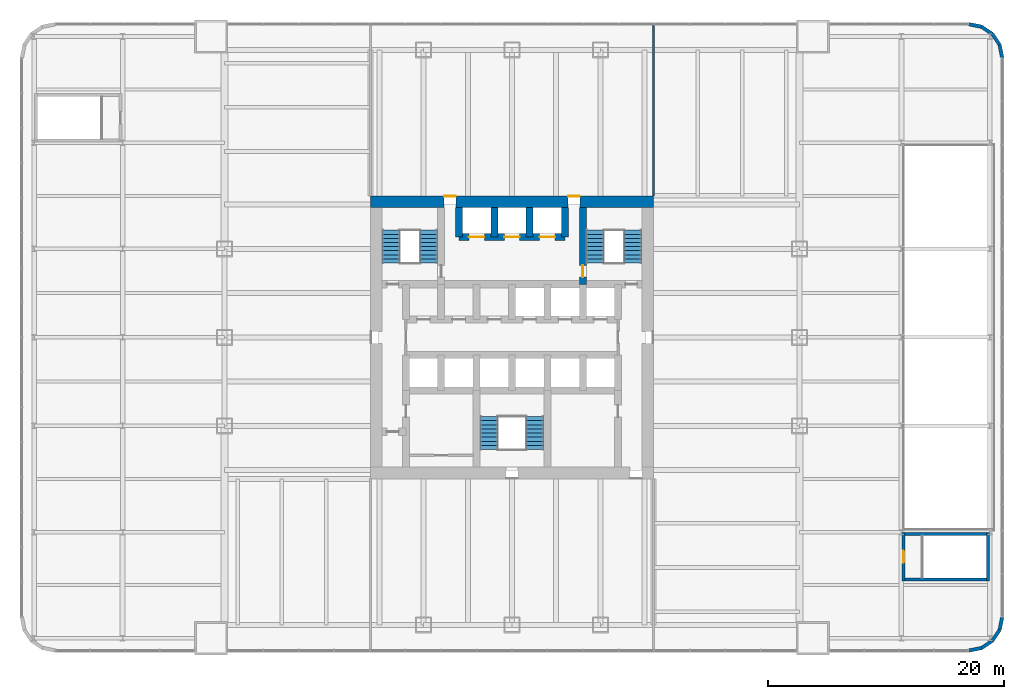
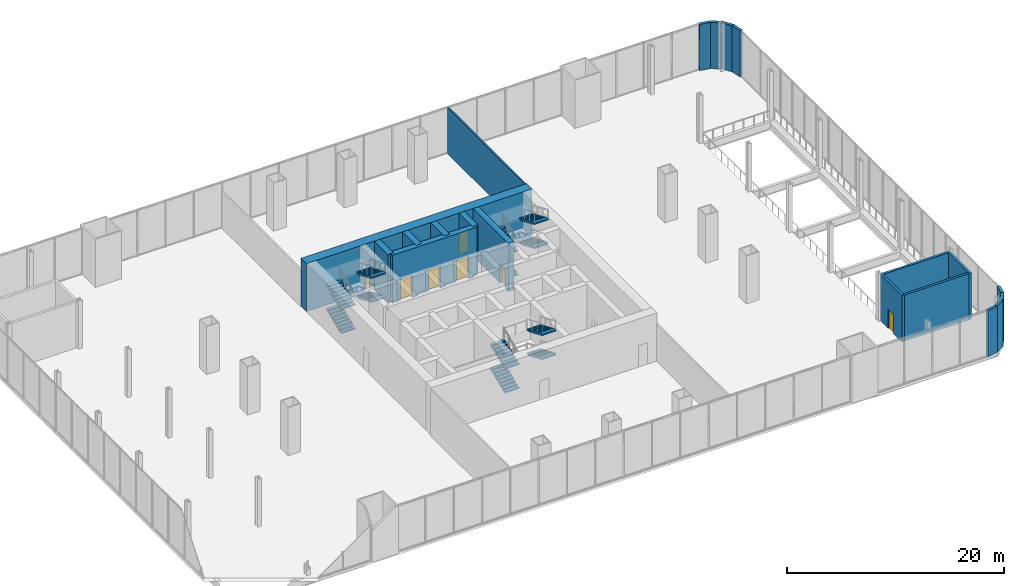
# One storey, part 15 of 17: 20 walls, 12 stair flights, 7 doors, 7 openings, 3 elements without a shape of their own.
"""IFC4 building model written with IfcOpenShell, lengths in metres."""

from ifc_helpers import new_model, si_unit, direction, frame, frame_2d, origin, place, context, subcontext, project, spatial, polyline, rectangle, outline, extrude, material, layer, layer_set, type_object, element, fill, aggregate, save


model = new_model("IFC4")

# Units and contexts
model_context = context("Model", 3, precision=1e-05, world=origin(), true_north=direction((0.0, 1.0)))
body_context = subcontext(model_context, "Body", "Model", "MODEL_VIEW")
ifc_project = project(units=[si_unit("LENGTHUNIT", "METRE"), si_unit("AREAUNIT", "SQUARE_METRE"), si_unit("VOLUMEUNIT", "CUBIC_METRE"), si_unit("PLANEANGLEUNIT", "RADIAN"), si_unit("MASSUNIT", "GRAM", prefix="KILO")], contexts=[model_context])

# Site, building, storey
site_placement = place(None, origin())
site = spatial("IfcSite", under=ifc_project, at=site_placement, CompositionType="ELEMENT")
building_placement = place(site_placement, origin())
building = spatial("IfcBuilding", under=site, at=building_placement, Name="Tarangal Relay Tower", CompositionType="ELEMENT")
storey_placement = place(building_placement, frame((0.0, 0.0, 18.0)))
storey = spatial("IfcBuildingStorey", under=building, at=storey_placement, Name="L03", CompositionType="ELEMENT", Elevation=18.0)

# Wall, openings, doors
ifc_material_1 = material(Name="Concrete fc' 60 MPa", Category="concrete")
ifc_layer_1 = layer(ifc_material_1, 0.60009765625)
ifc_layer_set_1 = layer_set([ifc_layer_1], Name="Core inner wall 600")
wall_type_1 = type_object("IfcWallType", Name="Core inner wall 600", PredefinedType="SHEAR", material=ifc_layer_set_1)
wall_1_placement = place(storey_placement, frame((-4.5, 8.5, 0.0), z_axis=(0.0, 0.0, 1.0), x_axis=(1.0, 0.0, 0.0)))
wall_1 = element("IfcWall", 1, at=wall_1_placement, inside=storey, type_object=wall_type_1, Name="Core wall Y85 L03", PredefinedType="SHEAR", context=body_context, shape_type="SweptSolid", body=[
    extrude(rectangle(XDim=9.0, YDim=0.60009765625, at=frame_2d((4.5, 0.0))), origin(), (0.0, 0.0, 1.0), 5.39990234375),
])
opening_1_placement = place(wall_1_placement, frame((0.85009765625, 0.0, 0.0)))
opening_1 = element("IfcOpeningElement", 2, at=opening_1_placement, cuts=wall_1, Name="Opening LD2", PredefinedType="OPENING", context=body_context, shape_type="SweptSolid", body=[
    extrude(rectangle(XDim=1.300048828125, YDim=2.39990234375, at=frame_2d((0.64990234375, 1.199951171875))), frame((0.0, 0.31005859375, 0.0), z_axis=(0.0, -1.0, 0.0), x_axis=(1.0, 0.0, 0.0)), (0.0, 0.0, 1.0), 0.6201171875),
])
opening_2_placement = place(wall_1_placement, frame((6.85009765625, 0.0, 0.0)))
opening_2 = element("IfcOpeningElement", 3, at=opening_2_placement, cuts=wall_1, Name="Opening LD2", PredefinedType="OPENING", context=body_context, shape_type="SweptSolid", body=[
    extrude(rectangle(XDim=1.300048828125, YDim=2.39990234375, at=frame_2d((0.64990234375, 1.199951171875))), frame((0.0, 0.31005859375, 0.0), z_axis=(0.0, -1.0, 0.0), x_axis=(1.0, 0.0, 0.0)), (0.0, 0.0, 1.0), 0.6201171875),
])
opening_3_placement = place(wall_1_placement, frame((3.85009765625, 0.0, 0.0)))
opening_3 = element("IfcOpeningElement", 4, at=opening_3_placement, cuts=wall_1, Name="Opening LD2", PredefinedType="OPENING", context=body_context, shape_type="SweptSolid", body=[
    extrude(rectangle(XDim=1.300048828125, YDim=2.39990234375, at=frame_2d((0.64990234375, 1.199951171875))), frame((0.0, 0.31005859375, 0.0), z_axis=(0.0, -1.0, 0.0), x_axis=(1.0, 0.0, 0.0)), (0.0, 0.0, 1.0), 0.6201171875),
])
ifc_material_2 = material(Name="Steel door with hardwood frame", Category="steel")
door_type_1 = type_object("IfcDoorType", Name="Lift landing door 1300 x 2400", OperationType="SLIDING_TO_LEFT", PredefinedType="DOOR", material=ifc_material_2)
door_1_placement = place(opening_1_placement, origin())
door_1 = element("IfcDoor", 5, at=door_1_placement, inside=storey, type_object=door_type_1, Name="Lift FF1 landing door L03", OperationType="SLIDING_TO_LEFT", OverallHeight=2.39990234375, OverallWidth=1.300048828125, PredefinedType="DOOR", context=body_context, shape_type="SweptSolid", body=[
    extrude(rectangle(XDim=1.300048828125, YDim=2.39990234375, at=frame_2d((0.64990234375, 1.199951171875))), frame((0.0, 0.02490234375, 0.0), z_axis=(0.0, -1.0, 0.0), x_axis=(1.0, 0.0, 0.0)), (0.0, 0.0, 1.0), 0.050048828125),
])
fill(opening_1, door_1)
door_2_placement = place(opening_2_placement, origin())
door_2 = element("IfcDoor", 6, at=door_2_placement, inside=storey, type_object=door_type_1, Name="Lift FF2 landing door L03", OperationType="SLIDING_TO_LEFT", OverallHeight=2.39990234375, OverallWidth=1.300048828125, PredefinedType="DOOR", context=body_context, shape_type="SweptSolid", body=[
    extrude(rectangle(XDim=1.300048828125, YDim=2.39990234375, at=frame_2d((0.64990234375, 1.199951171875))), frame((0.0, 0.02490234375, 0.0), z_axis=(0.0, -1.0, 0.0), x_axis=(1.0, 0.0, 0.0)), (0.0, 0.0, 1.0), 0.050048828125),
])
fill(opening_2, door_2)
door_3_placement = place(opening_3_placement, origin())
door_3 = element("IfcDoor", 7, at=door_3_placement, inside=storey, type_object=door_type_1, Name="Lift SV1 landing door L03", OperationType="SLIDING_TO_LEFT", OverallHeight=2.39990234375, OverallWidth=1.300048828125, PredefinedType="DOOR", context=body_context, shape_type="SweptSolid", body=[
    extrude(rectangle(XDim=1.300048828125, YDim=2.39990234375, at=frame_2d((0.64990234375, 1.199951171875))), frame((0.0, 0.02490234375, 0.0), z_axis=(0.0, -1.0, 0.0), x_axis=(1.0, 0.0, 0.0)), (0.0, 0.0, 1.0), 0.050048828125),
])
fill(opening_3, door_3)

# Wall, opening, door
wall_2_placement = place(storey_placement, frame((6.0, 4.5, 0.0), z_axis=(0.0, 0.0, 1.0), x_axis=(0.0, 1.0, 0.0)))
wall_2 = element("IfcWall", 8, at=wall_2_placement, inside=storey, type_object=wall_type_1, Name="Core wall X6 L03", PredefinedType="SHEAR", context=body_context, shape_type="SweptSolid", body=[
    extrude(rectangle(XDim=6.5, YDim=0.60009765625, at=frame_2d((3.25, 0.0))), origin(), (0.0, 0.0, 1.0), 5.39990234375),
])
opening_4_placement = place(wall_2_placement, frame((0.60009765625, 0.0, 0.0)))
opening_4 = element("IfcOpeningElement", 9, at=opening_4_placement, cuts=wall_2, Name="Opening FD1", PredefinedType="OPENING", context=body_context, shape_type="SweptSolid", body=[
    extrude(rectangle(XDim=1.0, YDim=2.10009765625, at=frame_2d((0.5, 1.050048828125))), frame((0.0, 0.31005859375, 0.0), z_axis=(0.0, -1.0, 0.0), x_axis=(1.0, 0.0, 0.0)), (0.0, 0.0, 1.0), 0.6201171875),
])
door_type_2 = type_object("IfcDoorType", Name="Fire door 1000 x 2100", OperationType="SINGLE_SWING_LEFT", PredefinedType="DOOR", material=ifc_material_2)
door_4_placement = place(opening_4_placement, origin())
door_4 = element("IfcDoor", 10, at=door_4_placement, inside=storey, type_object=door_type_2, Name="Stair ST-B door from fire-fighting lobby L03", OperationType="SINGLE_SWING_LEFT", OverallHeight=2.10009765625, OverallWidth=1.0, PredefinedType="DOOR", context=body_context, shape_type="SweptSolid", body=[
    extrude(rectangle(XDim=1.0, YDim=2.10009765625, at=frame_2d((0.5, 1.050048828125))), frame((0.0, 0.02490234375, 0.0), z_axis=(0.0, -1.0, 0.0), x_axis=(1.0, 0.0, 0.0)), (0.0, 0.0, 1.0), 0.050048828125),
])
fill(opening_4, door_4)

# Walls
for number, where, z_axis, x_axis, name in (
    (11, (-4.5, 8.5, 0.0), (0.0, 0.0, 1.0), (0.0, 1.0, 0.0), "Core wall XM45 L03"),
    (12, (4.5, 8.5, 0.0), (0.0, 0.0, 1.0), (0.0, 1.0, 0.0), "Core wall X45 L03"),
    (13, (-1.5, 8.5, 0.0), (0.0, 0.0, 1.0), (0.0, 1.0, 0.0), "Core wall XM15 L03"),
    (14, (1.5, 8.5, 0.0), (0.0, 0.0, 1.0), (0.0, 1.0, 0.0), "Core wall X15 L03"),
):
    element("IfcWall", number, at=place(storey_placement, frame(where, z_axis=z_axis, x_axis=x_axis)), inside=storey, type_object=wall_type_1, Name=name, PredefinedType="SHEAR", context=body_context, shape_type="SweptSolid", body=[
        extrude(rectangle(XDim=2.5, YDim=0.60009765625, at=frame_2d((1.25, 0.0))), origin(), (0.0, 0.0, 1.0), 5.39990234375),
    ])

# Wall, openings, doors
ifc_layer_2 = layer(ifc_material_1, 1.0)
ifc_layer_set_2 = layer_set([ifc_layer_2], Name="Core wall 1000")
wall_type_2 = type_object("IfcWallType", Name="Core wall 1000", PredefinedType="SHEAR", material=ifc_layer_set_2)
wall_3_placement = place(storey_placement, frame((-12.0, 11.5, 0.0), z_axis=(0.0, 0.0, 1.0), x_axis=(1.0, 0.0, 0.0)))
wall_3 = element("IfcWall", 15, at=wall_3_placement, inside=storey, type_object=wall_type_2, Name="Core wall N L03", PredefinedType="SHEAR", context=body_context, shape_type="SweptSolid", body=[
    extrude(rectangle(XDim=24.0, YDim=1.0, at=frame_2d((12.0, 0.0))), origin(), (0.0, 0.0, 1.0), 5.39990234375),
])
opening_5_placement = place(wall_3_placement, frame((6.25, 0.0, 0.0)))
opening_5 = element("IfcOpeningElement", 16, at=opening_5_placement, cuts=wall_3, Name="Opening FD3", PredefinedType="OPENING", context=body_context, shape_type="SweptSolid", body=[
    extrude(rectangle(XDim=1.0, YDim=2.39990234375, at=frame_2d((0.5, 1.199951171875))), frame((0.0, 0.510009765625, 0.0), z_axis=(0.0, -1.0, 0.0), x_axis=(1.0, 0.0, 0.0)), (0.0, 0.0, 1.0), 1.02001953125),
])
opening_6_placement = place(wall_3_placement, frame((16.75, 0.0, 0.0)))
opening_6 = element("IfcOpeningElement", 17, at=opening_6_placement, cuts=wall_3, Name="Opening FD3", PredefinedType="OPENING", context=body_context, shape_type="SweptSolid", body=[
    extrude(rectangle(XDim=1.0, YDim=2.39990234375, at=frame_2d((0.5, 1.199951171875))), frame((0.0, 0.510009765625, 0.0), z_axis=(0.0, -1.0, 0.0), x_axis=(1.0, 0.0, 0.0)), (0.0, 0.0, 1.0), 1.02001953125),
])
door_type_3 = type_object("IfcDoorType", Name="Fire door 1000 x 2400 core entry", OperationType="SINGLE_SWING_RIGHT", PredefinedType="DOOR", material=ifc_material_2)
door_5_placement = place(opening_5_placement, origin())
door_5 = element("IfcDoor", 18, at=door_5_placement, inside=storey, type_object=door_type_3, Name="Core entry door north west L03", OperationType="SINGLE_SWING_RIGHT", OverallHeight=2.39990234375, OverallWidth=1.0, PredefinedType="DOOR", context=body_context, shape_type="SweptSolid", body=[
    extrude(rectangle(XDim=1.0, YDim=2.39990234375, at=frame_2d((0.5, 1.199951171875))), frame((0.0, 0.48486328125, 0.0), z_axis=(0.0, -1.0, 0.0), x_axis=(1.0, 0.0, 0.0)), (0.0, 0.0, 1.0), 0.050048828125),
])
fill(opening_5, door_5)
door_6_placement = place(opening_6_placement, origin())
door_6 = element("IfcDoor", 19, at=door_6_placement, inside=storey, type_object=door_type_3, Name="Core entry door north east L03", OperationType="SINGLE_SWING_RIGHT", OverallHeight=2.39990234375, OverallWidth=1.0, PredefinedType="DOOR", context=body_context, shape_type="SweptSolid", body=[
    extrude(rectangle(XDim=1.0, YDim=2.39990234375, at=frame_2d((0.5, 1.199951171875))), frame((0.0, 0.48486328125, 0.0), z_axis=(0.0, -1.0, 0.0), x_axis=(1.0, 0.0, 0.0)), (0.0, 0.0, 1.0), 0.050048828125),
])
fill(opening_6, door_6)

# Walls
ifc_material_3 = material(Name="Gypsum board on steel studs", Category="steel")
ifc_layer_3 = layer(ifc_material_3, 0.14990234375)
ifc_layer_set_3 = layer_set([ifc_layer_3], Name="Partition 150")
wall_type_3 = type_object("IfcWallType", Name="Partition 150", PredefinedType="PARTITIONING", material=ifc_layer_set_3)
wall_4_placement = place(storey_placement, frame((12.0, 12.0, 0.0), z_axis=(0.0, 0.0, 1.0), x_axis=(0.0, 1.0, 0.0)))
element("IfcWall", 20, at=wall_4_placement, inside=storey, type_object=wall_type_3, Name="Partition PT1 L03", PredefinedType="PARTITIONING", context=body_context, shape_type="SweptSolid", body=[
    extrude(rectangle(XDim=14.449951171875, YDim=0.14990234375, at=frame_2d((7.22509765625, 0.0))), origin(), (0.0, 0.0, 1.0), 5.199951171875),
])
ifc_material_4 = material(Name="Black granite clad concrete wall", Category="masonry")
ifc_layer_4 = layer(ifc_material_4, 0.300048828125)
ifc_layer_set_4 = layer_set([ifc_layer_4], Name="Podium wall 300")
wall_type_4 = type_object("IfcWallType", Name="Podium wall 300", PredefinedType="SOLIDWALL", material=ifc_layer_set_4)
for number, where, z_axis, x_axis, name in (
    (21, (41.550048828125, 23.699951171875, 0.0), (0.0, 0.0, 1.0), (-0.195187147506, 0.980766015647, 0.0), "Podium corner wall L03"),
    (22, (41.3330078125, 24.79052734375, 0.0), (0.0, 0.0, 1.0), (-0.555409243355, 0.831577159616, 0.0), "Podium corner wall L03"),
    (23, (40.71533203125, 25.71533203125, 0.0), (0.0, 0.0, 1.0), (-0.831577159616, 0.555409243355, 0.0), "Podium corner wall L03"),
    (24, (39.79052734375, 26.3330078125, 0.0), (0.0, 0.0, 1.0), (-0.980766015647, 0.195187147506, 0.0), "Podium corner wall L03"),
    (25, (38.699951171875, -26.550048828125, 0.0), (0.0, 0.0, 1.0), (0.980766015647, 0.195187147506, 0.0), "Podium corner wall L03"),
    (26, (39.79052734375, -26.3330078125, 0.0), (0.0, 0.0, 1.0), (0.831577159616, 0.555409243355, 0.0), "Podium corner wall L03"),
    (27, (40.71533203125, -25.71533203125, 0.0), (0.0, 0.0, 1.0), (0.555409243355, 0.831577159616, 0.0), "Podium corner wall L03"),
    (28, (41.3330078125, -24.79052734375, 0.0), (0.0, 0.0, 1.0), (0.195187147506, 0.980766015647, 0.0), "Podium corner wall L03"),
):
    element("IfcWall", number, at=place(storey_placement, frame(where, z_axis=z_axis, x_axis=x_axis)), inside=storey, type_object=wall_type_4, Name=name, PredefinedType="SOLIDWALL", context=body_context, shape_type="SweptSolid", body=[
        extrude(rectangle(XDim=1.112060546875, YDim=0.300048828125, at=frame_2d((0.55615234375, 0.0))), origin(), (0.0, 0.0, 1.0), 5.199951171875),
    ])

# Wall, opening, door
ifc_material_5 = material(Name="Concrete blockwork", Category="masonry")
ifc_layer_5 = layer(ifc_material_5, 0.25)
ifc_layer_set_5 = layer_set([ifc_layer_5], Name="Stair enclosure wall 250")
wall_type_5 = type_object("IfcWallType", Name="Stair enclosure wall 250", PredefinedType="SOLIDWALL", material=ifc_layer_set_5)
wall_5_placement = place(storey_placement, frame((33.175048828125, -20.64990234375, 0.0), z_axis=(0.0, 0.0, 1.0), x_axis=(0.0, 1.0, 0.0)))
wall_5 = element("IfcWall", 29, at=wall_5_placement, inside=storey, type_object=wall_type_5, Name="Stair ST-E enclosure wall L03", PredefinedType="SOLIDWALL", context=body_context, shape_type="SweptSolid", body=[
    extrude(rectangle(XDim=4.099853515625, YDim=0.25, at=frame_2d((2.0498046875, 0.0))), origin(), (0.0, 0.0, 1.0), 5.199951171875),
])
opening_7_placement = place(wall_5_placement, frame((1.550048828125, 0.0, 0.0)))
opening_7 = element("IfcOpeningElement", 30, at=opening_7_placement, cuts=wall_5, Name="Opening FD1", PredefinedType="OPENING", context=body_context, shape_type="SweptSolid", body=[
    extrude(rectangle(XDim=1.0, YDim=2.10009765625, at=frame_2d((0.5, 1.050048828125))), frame((0.0, 0.135009765625, 0.0), z_axis=(0.0, -1.0, 0.0), x_axis=(1.0, 0.0, 0.0)), (0.0, 0.0, 1.0), 0.27001953125),
])
door_7_placement = place(opening_7_placement, origin())
door_7 = element("IfcDoor", 31, at=door_7_placement, inside=storey, type_object=door_type_2, Name="Stair ST-E door L03", OperationType="SINGLE_SWING_LEFT", OverallHeight=2.10009765625, OverallWidth=1.0, PredefinedType="DOOR", context=body_context, shape_type="SweptSolid", body=[
    extrude(rectangle(XDim=1.0, YDim=2.10009765625, at=frame_2d((0.5, 1.050048828125))), frame((0.0, 0.02490234375, 0.0), z_axis=(0.0, -1.0, 0.0), x_axis=(1.0, 0.0, 0.0)), (0.0, 0.0, 1.0), 0.050048828125),
])
fill(opening_7, door_7)

# Walls
wall_6_placement = place(storey_placement, frame((40.324951171875, -20.64990234375, 0.0), z_axis=(0.0, 0.0, 1.0), x_axis=(0.0, 1.0, 0.0)))
element("IfcWall", 32, at=wall_6_placement, inside=storey, type_object=wall_type_5, Name="Stair ST-E enclosure wall L03", PredefinedType="SOLIDWALL", context=body_context, shape_type="SweptSolid", body=[
    extrude(rectangle(XDim=4.099853515625, YDim=0.25, at=frame_2d((2.0498046875, 0.0))), origin(), (0.0, 0.0, 1.0), 5.199951171875),
])
for number, where, z_axis, x_axis, name in (
    (33, (33.300048828125, -20.52490234375, 0.0), (0.0, 0.0, 1.0), (1.0, 0.0, 0.0), "Stair ST-E enclosure wall L03"),
    (34, (33.300048828125, -16.675048828125, 0.0), (0.0, 0.0, 1.0), (1.0, 0.0, 0.0), "Stair ST-E enclosure wall L03"),
):
    element("IfcWall", number, at=place(storey_placement, frame(where, z_axis=z_axis, x_axis=x_axis)), inside=storey, type_object=wall_type_5, Name=name, PredefinedType="SOLIDWALL", context=body_context, shape_type="SweptSolid", body=[
        extrude(rectangle(XDim=6.89990234375, YDim=0.25, at=frame_2d((3.449951171875, 0.0))), origin(), (0.0, 0.0, 1.0), 5.199951171875),
    ])

# Stair, stair flights
ifc_material_6 = material(Name="Steel ASTM A992 stair flight", Category="steel")
stair_type = type_object("IfcStairType", Name="Core stair 1500", PredefinedType="HALF_TURN_STAIR", material=ifc_material_6)
stair_1_placement = place(storey_placement, origin())
stair_1 = element("IfcStair", 35, at=stair_1_placement, inside=storey, type_object=stair_type, Name="Stair ST-A L03", PredefinedType="HALF_TURN_STAIR")
stair_flight_type = type_object("IfcStairFlightType", Name="Steel stair flight 1500, 9 risers 150 x 348", PredefinedType="STRAIGHT", material=ifc_material_6)
stair_flight_1_placement = place(storey_placement, frame((-10.25, 6.300048828125, 0.0), z_axis=(0.0, 0.0, 1.0), x_axis=(0.0, 1.0, 0.0)))
stair_flight_1 = element("IfcStairFlight", 36, at=stair_flight_1_placement, type_object=stair_flight_type, Name="ST-A flight 1", NumberOfRisers=9, NumberOfTreads=8, PredefinedType="STRAIGHT", RiserHeight=0.15, TreadLength=0.348, context=body_context, shape_type="SweptSolid", body=[
    extrude(outline(polyline([(0.0, 0.0), (0.0, 0.14990234375), (0.347900390625, 0.14990234375), (0.347900390625, 0.300048828125), (0.696044921875, 0.300048828125), (0.696044921875, 0.449951171875), (1.0439453125, 0.449951171875), (1.0439453125, 0.60009765625), (1.39208984375, 0.60009765625), (1.39208984375, 0.75), (1.739990234375, 0.75), (1.739990234375, 0.89990234375), (2.087890625, 0.89990234375), (2.087890625, 1.050048828125), (2.43603515625, 1.050048828125), (2.43603515625, 1.199951171875), (2.783935546875, 1.199951171875), (2.783935546875, 1.35009765625), (2.783935546875, 1.036865234375), (0.378662109375, 0.0), (0.0, 0.0)])), frame((0.0, 0.75, 0.0), z_axis=(0.0, -1.0, 0.0), x_axis=(1.0, 0.0, 0.0)), (0.0, 0.0, 1.0), 1.5),
])
stair_flight_2_placement = place(storey_placement, frame((-7.050048828125, 9.083984375, 1.35009765625), z_axis=(0.0, 0.0, 1.0), x_axis=(0.0, -1.0, 0.0)))
stair_flight_2 = element("IfcStairFlight", 37, at=stair_flight_2_placement, type_object=stair_flight_type, Name="ST-A flight 2", NumberOfRisers=9, NumberOfTreads=8, PredefinedType="STRAIGHT", RiserHeight=0.15, TreadLength=0.348, context=body_context, shape_type="SweptSolid", body=[
    extrude(outline(polyline([(0.0, 0.0), (0.0, 0.14990234375), (0.347900390625, 0.14990234375), (0.347900390625, 0.300048828125), (0.696044921875, 0.300048828125), (0.696044921875, 0.449951171875), (1.0439453125, 0.449951171875), (1.0439453125, 0.60009765625), (1.39208984375, 0.60009765625), (1.39208984375, 0.75), (1.739990234375, 0.75), (1.739990234375, 0.89990234375), (2.087890625, 0.89990234375), (2.087890625, 1.050048828125), (2.43603515625, 1.050048828125), (2.43603515625, 1.199951171875), (2.783935546875, 1.199951171875), (2.783935546875, 1.35009765625), (2.783935546875, 1.036865234375), (0.378662109375, 0.0), (0.0, 0.0)])), frame((0.0, 0.75, 0.0), z_axis=(0.0, -1.0, 0.0), x_axis=(1.0, 0.0, 0.0)), (0.0, 0.0, 1.0), 1.5),
])
stair_flight_3_placement = place(storey_placement, frame((-10.25, 6.300048828125, 2.699951171875), z_axis=(0.0, 0.0, 1.0), x_axis=(0.0, 1.0, 0.0)))
stair_flight_3 = element("IfcStairFlight", 38, at=stair_flight_3_placement, type_object=stair_flight_type, Name="ST-A flight 3", NumberOfRisers=9, NumberOfTreads=8, PredefinedType="STRAIGHT", RiserHeight=0.15, TreadLength=0.348, context=body_context, shape_type="SweptSolid", body=[
    extrude(outline(polyline([(0.0, 0.0), (0.0, 0.14990234375), (0.347900390625, 0.14990234375), (0.347900390625, 0.300048828125), (0.696044921875, 0.300048828125), (0.696044921875, 0.449951171875), (1.0439453125, 0.449951171875), (1.0439453125, 0.60009765625), (1.39208984375, 0.60009765625), (1.39208984375, 0.75), (1.739990234375, 0.75), (1.739990234375, 0.89990234375), (2.087890625, 0.89990234375), (2.087890625, 1.050048828125), (2.43603515625, 1.050048828125), (2.43603515625, 1.199951171875), (2.783935546875, 1.199951171875), (2.783935546875, 1.35009765625), (2.783935546875, 1.036865234375), (0.378662109375, 0.0), (0.0, 0.0)])), frame((0.0, 0.75, 0.0), z_axis=(0.0, -1.0, 0.0), x_axis=(1.0, 0.0, 0.0)), (0.0, 0.0, 1.0), 1.5),
])
stair_flight_4_placement = place(storey_placement, frame((-7.050048828125, 9.083984375, 4.050048828125), z_axis=(0.0, 0.0, 1.0), x_axis=(0.0, -1.0, 0.0)))
stair_flight_4 = element("IfcStairFlight", 39, at=stair_flight_4_placement, type_object=stair_flight_type, Name="ST-A flight 4", NumberOfRisers=9, NumberOfTreads=8, PredefinedType="STRAIGHT", RiserHeight=0.15, TreadLength=0.348, context=body_context, shape_type="SweptSolid", body=[
    extrude(outline(polyline([(0.0, 0.0), (0.0, 0.14990234375), (0.347900390625, 0.14990234375), (0.347900390625, 0.300048828125), (0.696044921875, 0.300048828125), (0.696044921875, 0.449951171875), (1.0439453125, 0.449951171875), (1.0439453125, 0.60009765625), (1.39208984375, 0.60009765625), (1.39208984375, 0.75), (1.739990234375, 0.75), (1.739990234375, 0.89990234375), (2.087890625, 0.89990234375), (2.087890625, 1.050048828125), (2.43603515625, 1.050048828125), (2.43603515625, 1.199951171875), (2.783935546875, 1.199951171875), (2.783935546875, 1.35009765625), (2.783935546875, 1.036865234375), (0.378662109375, 0.0), (0.0, 0.0)])), frame((0.0, 0.75, 0.0), z_axis=(0.0, -1.0, 0.0), x_axis=(1.0, 0.0, 0.0)), (0.0, 0.0, 1.0), 1.5),
])
aggregate(stair_1, [stair_flight_1, stair_flight_2, stair_flight_3, stair_flight_4])

stair_2_placement = place(storey_placement, origin())
stair_2 = element("IfcStair", 40, at=stair_2_placement, inside=storey, type_object=stair_type, Name="Stair ST-B L03", PredefinedType="HALF_TURN_STAIR")
stair_flight_5_placement = place(storey_placement, frame((7.050048828125, 6.300048828125, 0.0), z_axis=(0.0, 0.0, 1.0), x_axis=(0.0, 1.0, 0.0)))
stair_flight_5 = element("IfcStairFlight", 41, at=stair_flight_5_placement, type_object=stair_flight_type, Name="ST-B flight 1", NumberOfRisers=9, NumberOfTreads=8, PredefinedType="STRAIGHT", RiserHeight=0.15, TreadLength=0.348, context=body_context, shape_type="SweptSolid", body=[
    extrude(outline(polyline([(0.0, 0.0), (0.0, 0.14990234375), (0.347900390625, 0.14990234375), (0.347900390625, 0.300048828125), (0.696044921875, 0.300048828125), (0.696044921875, 0.449951171875), (1.0439453125, 0.449951171875), (1.0439453125, 0.60009765625), (1.39208984375, 0.60009765625), (1.39208984375, 0.75), (1.739990234375, 0.75), (1.739990234375, 0.89990234375), (2.087890625, 0.89990234375), (2.087890625, 1.050048828125), (2.43603515625, 1.050048828125), (2.43603515625, 1.199951171875), (2.783935546875, 1.199951171875), (2.783935546875, 1.35009765625), (2.783935546875, 1.036865234375), (0.378662109375, 0.0), (0.0, 0.0)])), frame((0.0, 0.75, 0.0), z_axis=(0.0, -1.0, 0.0), x_axis=(1.0, 0.0, 0.0)), (0.0, 0.0, 1.0), 1.5),
])
stair_flight_6_placement = place(storey_placement, frame((10.25, 9.083984375, 1.35009765625), z_axis=(0.0, 0.0, 1.0), x_axis=(0.0, -1.0, 0.0)))
stair_flight_6 = element("IfcStairFlight", 42, at=stair_flight_6_placement, type_object=stair_flight_type, Name="ST-B flight 2", NumberOfRisers=9, NumberOfTreads=8, PredefinedType="STRAIGHT", RiserHeight=0.15, TreadLength=0.348, context=body_context, shape_type="SweptSolid", body=[
    extrude(outline(polyline([(0.0, 0.0), (0.0, 0.14990234375), (0.347900390625, 0.14990234375), (0.347900390625, 0.300048828125), (0.696044921875, 0.300048828125), (0.696044921875, 0.449951171875), (1.0439453125, 0.449951171875), (1.0439453125, 0.60009765625), (1.39208984375, 0.60009765625), (1.39208984375, 0.75), (1.739990234375, 0.75), (1.739990234375, 0.89990234375), (2.087890625, 0.89990234375), (2.087890625, 1.050048828125), (2.43603515625, 1.050048828125), (2.43603515625, 1.199951171875), (2.783935546875, 1.199951171875), (2.783935546875, 1.35009765625), (2.783935546875, 1.036865234375), (0.378662109375, 0.0), (0.0, 0.0)])), frame((0.0, 0.75, 0.0), z_axis=(0.0, -1.0, 0.0), x_axis=(1.0, 0.0, 0.0)), (0.0, 0.0, 1.0), 1.5),
])
stair_flight_7_placement = place(storey_placement, frame((7.050048828125, 6.300048828125, 2.699951171875), z_axis=(0.0, 0.0, 1.0), x_axis=(0.0, 1.0, 0.0)))
stair_flight_7 = element("IfcStairFlight", 43, at=stair_flight_7_placement, type_object=stair_flight_type, Name="ST-B flight 3", NumberOfRisers=9, NumberOfTreads=8, PredefinedType="STRAIGHT", RiserHeight=0.15, TreadLength=0.348, context=body_context, shape_type="SweptSolid", body=[
    extrude(outline(polyline([(0.0, 0.0), (0.0, 0.14990234375), (0.347900390625, 0.14990234375), (0.347900390625, 0.300048828125), (0.696044921875, 0.300048828125), (0.696044921875, 0.449951171875), (1.0439453125, 0.449951171875), (1.0439453125, 0.60009765625), (1.39208984375, 0.60009765625), (1.39208984375, 0.75), (1.739990234375, 0.75), (1.739990234375, 0.89990234375), (2.087890625, 0.89990234375), (2.087890625, 1.050048828125), (2.43603515625, 1.050048828125), (2.43603515625, 1.199951171875), (2.783935546875, 1.199951171875), (2.783935546875, 1.35009765625), (2.783935546875, 1.036865234375), (0.378662109375, 0.0), (0.0, 0.0)])), frame((0.0, 0.75, 0.0), z_axis=(0.0, -1.0, 0.0), x_axis=(1.0, 0.0, 0.0)), (0.0, 0.0, 1.0), 1.5),
])
stair_flight_8_placement = place(storey_placement, frame((10.25, 9.083984375, 4.050048828125), z_axis=(0.0, 0.0, 1.0), x_axis=(0.0, -1.0, 0.0)))
stair_flight_8 = element("IfcStairFlight", 44, at=stair_flight_8_placement, type_object=stair_flight_type, Name="ST-B flight 4", NumberOfRisers=9, NumberOfTreads=8, PredefinedType="STRAIGHT", RiserHeight=0.15, TreadLength=0.348, context=body_context, shape_type="SweptSolid", body=[
    extrude(outline(polyline([(0.0, 0.0), (0.0, 0.14990234375), (0.347900390625, 0.14990234375), (0.347900390625, 0.300048828125), (0.696044921875, 0.300048828125), (0.696044921875, 0.449951171875), (1.0439453125, 0.449951171875), (1.0439453125, 0.60009765625), (1.39208984375, 0.60009765625), (1.39208984375, 0.75), (1.739990234375, 0.75), (1.739990234375, 0.89990234375), (2.087890625, 0.89990234375), (2.087890625, 1.050048828125), (2.43603515625, 1.050048828125), (2.43603515625, 1.199951171875), (2.783935546875, 1.199951171875), (2.783935546875, 1.35009765625), (2.783935546875, 1.036865234375), (0.378662109375, 0.0), (0.0, 0.0)])), frame((0.0, 0.75, 0.0), z_axis=(0.0, -1.0, 0.0), x_axis=(1.0, 0.0, 0.0)), (0.0, 0.0, 1.0), 1.5),
])
aggregate(stair_2, [stair_flight_5, stair_flight_6, stair_flight_7, stair_flight_8])

stair_3_placement = place(storey_placement, origin())
stair_3 = element("IfcStair", 45, at=stair_3_placement, inside=storey, type_object=stair_type, Name="Stair ST-C L03", PredefinedType="HALF_TURN_STAIR")
stair_flight_9_placement = place(storey_placement, frame((-1.949951171875, -9.5, 0.0), z_axis=(0.0, 0.0, 1.0), x_axis=(0.0, 1.0, 0.0)))
stair_flight_9 = element("IfcStairFlight", 46, at=stair_flight_9_placement, type_object=stair_flight_type, Name="ST-C flight 1", NumberOfRisers=9, NumberOfTreads=8, PredefinedType="STRAIGHT", RiserHeight=0.15, TreadLength=0.348, context=body_context, shape_type="SweptSolid", body=[
    extrude(outline(polyline([(0.0, 0.0), (0.0, 0.14990234375), (0.347900390625, 0.14990234375), (0.347900390625, 0.300048828125), (0.696044921875, 0.300048828125), (0.696044921875, 0.449951171875), (1.0439453125, 0.449951171875), (1.0439453125, 0.60009765625), (1.39208984375, 0.60009765625), (1.39208984375, 0.75), (1.739990234375, 0.75), (1.739990234375, 0.89990234375), (2.087890625, 0.89990234375), (2.087890625, 1.050048828125), (2.43603515625, 1.050048828125), (2.43603515625, 1.199951171875), (2.783935546875, 1.199951171875), (2.783935546875, 1.35009765625), (2.783935546875, 1.036865234375), (0.378662109375, 0.0), (0.0, 0.0)])), frame((0.0, 0.75, 0.0), z_axis=(0.0, -1.0, 0.0), x_axis=(1.0, 0.0, 0.0)), (0.0, 0.0, 1.0), 1.5),
])
stair_flight_10_placement = place(storey_placement, frame((1.949951171875, -6.716064453125, 1.35009765625), z_axis=(0.0, 0.0, 1.0), x_axis=(0.0, -1.0, 0.0)))
stair_flight_10 = element("IfcStairFlight", 47, at=stair_flight_10_placement, type_object=stair_flight_type, Name="ST-C flight 2", NumberOfRisers=9, NumberOfTreads=8, PredefinedType="STRAIGHT", RiserHeight=0.15, TreadLength=0.348, context=body_context, shape_type="SweptSolid", body=[
    extrude(outline(polyline([(0.0, 0.0), (0.0, 0.14990234375), (0.347900390625, 0.14990234375), (0.347900390625, 0.300048828125), (0.696044921875, 0.300048828125), (0.696044921875, 0.449951171875), (1.0439453125, 0.449951171875), (1.0439453125, 0.60009765625), (1.39208984375, 0.60009765625), (1.39208984375, 0.75), (1.739990234375, 0.75), (1.739990234375, 0.89990234375), (2.087890625, 0.89990234375), (2.087890625, 1.050048828125), (2.43603515625, 1.050048828125), (2.43603515625, 1.199951171875), (2.783935546875, 1.199951171875), (2.783935546875, 1.35009765625), (2.783935546875, 1.036865234375), (0.378662109375, 0.0), (0.0, 0.0)])), frame((0.0, 0.75, 0.0), z_axis=(0.0, -1.0, 0.0), x_axis=(1.0, 0.0, 0.0)), (0.0, 0.0, 1.0), 1.5),
])
stair_flight_11_placement = place(storey_placement, frame((-1.949951171875, -9.5, 2.699951171875), z_axis=(0.0, 0.0, 1.0), x_axis=(0.0, 1.0, 0.0)))
stair_flight_11 = element("IfcStairFlight", 48, at=stair_flight_11_placement, type_object=stair_flight_type, Name="ST-C flight 3", NumberOfRisers=9, NumberOfTreads=8, PredefinedType="STRAIGHT", RiserHeight=0.15, TreadLength=0.348, context=body_context, shape_type="SweptSolid", body=[
    extrude(outline(polyline([(0.0, 0.0), (0.0, 0.14990234375), (0.347900390625, 0.14990234375), (0.347900390625, 0.300048828125), (0.696044921875, 0.300048828125), (0.696044921875, 0.449951171875), (1.0439453125, 0.449951171875), (1.0439453125, 0.60009765625), (1.39208984375, 0.60009765625), (1.39208984375, 0.75), (1.739990234375, 0.75), (1.739990234375, 0.89990234375), (2.087890625, 0.89990234375), (2.087890625, 1.050048828125), (2.43603515625, 1.050048828125), (2.43603515625, 1.199951171875), (2.783935546875, 1.199951171875), (2.783935546875, 1.35009765625), (2.783935546875, 1.036865234375), (0.378662109375, 0.0), (0.0, 0.0)])), frame((0.0, 0.75, 0.0), z_axis=(0.0, -1.0, 0.0), x_axis=(1.0, 0.0, 0.0)), (0.0, 0.0, 1.0), 1.5),
])
stair_flight_12_placement = place(storey_placement, frame((1.949951171875, -6.716064453125, 4.050048828125), z_axis=(0.0, 0.0, 1.0), x_axis=(0.0, -1.0, 0.0)))
stair_flight_12 = element("IfcStairFlight", 49, at=stair_flight_12_placement, type_object=stair_flight_type, Name="ST-C flight 4", NumberOfRisers=9, NumberOfTreads=8, PredefinedType="STRAIGHT", RiserHeight=0.15, TreadLength=0.348, context=body_context, shape_type="SweptSolid", body=[
    extrude(outline(polyline([(0.0, 0.0), (0.0, 0.14990234375), (0.347900390625, 0.14990234375), (0.347900390625, 0.300048828125), (0.696044921875, 0.300048828125), (0.696044921875, 0.449951171875), (1.0439453125, 0.449951171875), (1.0439453125, 0.60009765625), (1.39208984375, 0.60009765625), (1.39208984375, 0.75), (1.739990234375, 0.75), (1.739990234375, 0.89990234375), (2.087890625, 0.89990234375), (2.087890625, 1.050048828125), (2.43603515625, 1.050048828125), (2.43603515625, 1.199951171875), (2.783935546875, 1.199951171875), (2.783935546875, 1.35009765625), (2.783935546875, 1.036865234375), (0.378662109375, 0.0), (0.0, 0.0)])), frame((0.0, 0.75, 0.0), z_axis=(0.0, -1.0, 0.0), x_axis=(1.0, 0.0, 0.0)), (0.0, 0.0, 1.0), 1.5),
])
aggregate(stair_3, [stair_flight_9, stair_flight_10, stair_flight_11, stair_flight_12])

save(model, "model.ifc")
